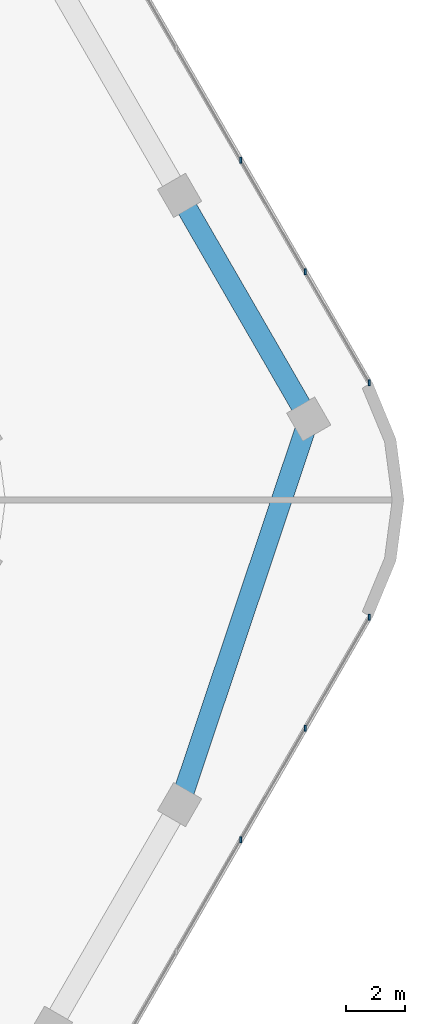
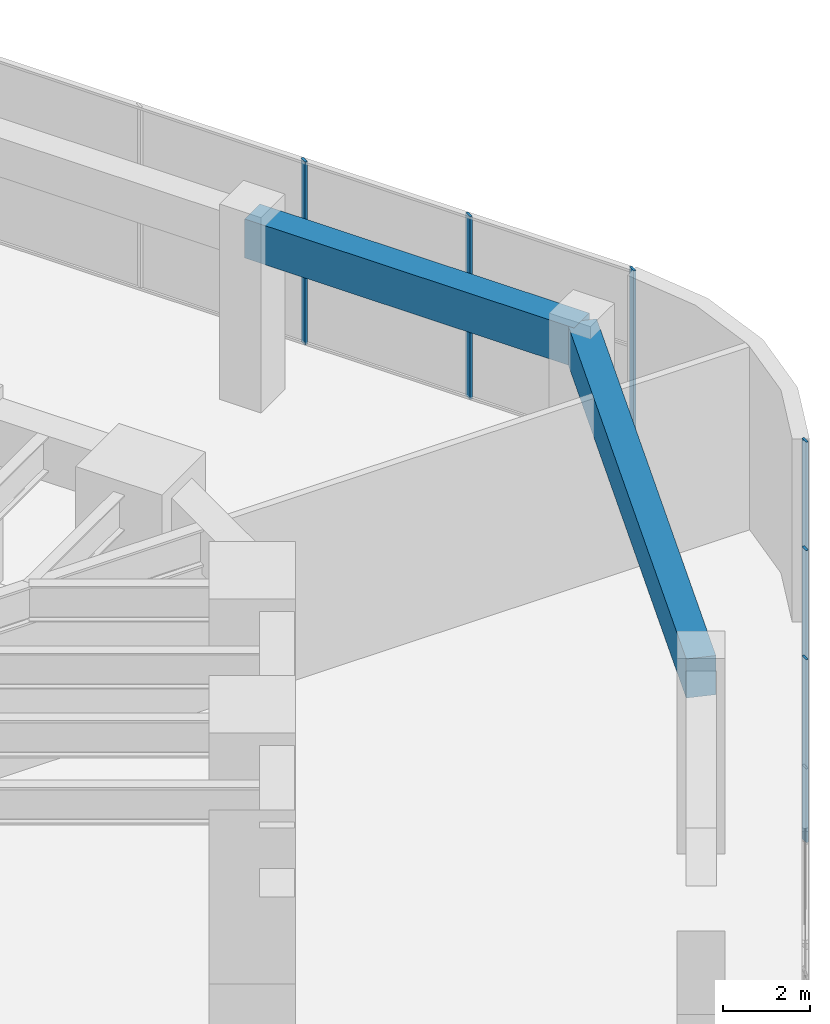
# One storey, part 14 of 31: 6 members, 2 beams, 2 elements without a shape of their own.
"""IFC4 building model written with IfcOpenShell, lengths in metres."""

from ifc_helpers import new_model, si_unit, direction, frame, origin, origin_2d, place, context, subcontext, project, spatial, rectangle, extrude, material, material_profile, profile_set, type_object, element, aggregate, save


model = new_model("IFC4")

# Units and contexts
model_context = context("Model", 3, precision=1e-05, world=origin(), true_north=direction((0.0, 1.0)))
body_context = subcontext(model_context, "Body", "Model", "MODEL_VIEW")
ifc_project = project(units=[si_unit("LENGTHUNIT", "METRE"), si_unit("AREAUNIT", "SQUARE_METRE"), si_unit("VOLUMEUNIT", "CUBIC_METRE"), si_unit("PLANEANGLEUNIT", "RADIAN"), si_unit("MASSUNIT", "GRAM", prefix="KILO")], contexts=[model_context])

# Site, building, storey
site_placement = place(None, origin())
site = spatial("IfcSite", under=ifc_project, at=site_placement, CompositionType="ELEMENT")
building_placement = place(site_placement, origin())
building = spatial("IfcBuilding", under=site, at=building_placement, Name="Tarfa Lantern Tower", CompositionType="ELEMENT")
storey_placement = place(building_placement, frame((0.0, 0.0, 13.0)))
storey = spatial("IfcBuildingStorey", under=building, at=storey_placement, Name="L02", CompositionType="ELEMENT", Elevation=13.0)

# Curtain wall, members
ifc_material_1 = material(Name="Aluminium framed curtain wall", Category="aluminium")
curtain_wall_type = type_object("IfcCurtainWallType", Name="CW7 PODIUM GLAZING 5150", PredefinedType="USERDEFINED", material=ifc_material_1)
curtain_wall_1_placement = place(storey_placement, origin())
curtain_wall_1 = element("IfcCurtainWall", 1, at=curtain_wall_1_placement, inside=storey, type_object=curtain_wall_type, Name="CW7 NE L02", ObjectType="CURTAIN WALL", PredefinedType="USERDEFINED")
ifc_material_2 = material(Name="Aluminium mullion", Category="aluminium")
ifc_material_profile_1 = material_profile(ifc_material_2, rectangle(XDim=0.06494140625, YDim=0.199951171875, at=origin_2d()), Name="AL MULLION 65x200")
ifc_profile_set_1 = profile_set([ifc_material_profile_1], Name="Aluminium mullion")
member_type = type_object("IfcMemberType", Name="CWM1 MULLION 65x200", PredefinedType="MULLION", material=ifc_profile_set_1)
member_1_placement = place(storey_placement, frame((50.703857421875, 3.97802734375, 0.0), z_axis=(0.0, 0.0, 1.0), x_axis=(1.0, 0.0, 0.0)))
member_1 = element("IfcMember", 2, at=member_1_placement, type_object=member_type, Name="CW7 mullion 1", PredefinedType="MULLION", context=body_context, shape_type="SweptSolid", body=[
    extrude(rectangle(XDim=0.06494140625, YDim=0.199951171875, at=origin_2d()), origin(), (0.0, 0.0, 1.0), 5.14990234375),
])
member_2_placement = place(storey_placement, frame((48.5263671875, 7.75, 0.0), z_axis=(0.0, 0.0, 1.0), x_axis=(1.0, 0.0, 0.0)))
member_2 = element("IfcMember", 3, at=member_2_placement, type_object=member_type, Name="CW7 mullion 2", PredefinedType="MULLION", context=body_context, shape_type="SweptSolid", body=[
    extrude(rectangle(XDim=0.06494140625, YDim=0.199951171875, at=origin_2d()), origin(), (0.0, 0.0, 1.0), 5.14990234375),
])
member_3_placement = place(storey_placement, frame((46.332275390625, 11.550048828125, 0.0), z_axis=(0.0, 0.0, 1.0), x_axis=(1.0, 0.0, 0.0)))
member_3 = element("IfcMember", 4, at=member_3_placement, type_object=member_type, Name="CW7 mullion 3", PredefinedType="MULLION", context=body_context, shape_type="SweptSolid", body=[
    extrude(rectangle(XDim=0.06494140625, YDim=0.199951171875, at=origin_2d()), origin(), (0.0, 0.0, 1.0), 5.14990234375),
])
aggregate(curtain_wall_1, [member_1, member_2, member_3])

curtain_wall_2_placement = place(storey_placement, origin())
curtain_wall_2 = element("IfcCurtainWall", 5, at=curtain_wall_2_placement, inside=storey, type_object=curtain_wall_type, Name="CW7 SE L02", ObjectType="CURTAIN WALL", PredefinedType="USERDEFINED")
member_4_placement = place(storey_placement, frame((46.332275390625, -11.550048828125, 0.0), z_axis=(0.0, 0.0, 1.0), x_axis=(1.0, 0.0, 0.0)))
member_4 = element("IfcMember", 6, at=member_4_placement, type_object=member_type, Name="CW7 mullion 9", PredefinedType="MULLION", context=body_context, shape_type="SweptSolid", body=[
    extrude(rectangle(XDim=0.06494140625, YDim=0.199951171875, at=origin_2d()), origin(), (0.0, 0.0, 1.0), 5.14990234375),
])
member_5_placement = place(storey_placement, frame((48.5263671875, -7.75, 0.0), z_axis=(0.0, 0.0, 1.0), x_axis=(1.0, 0.0, 0.0)))
member_5 = element("IfcMember", 7, at=member_5_placement, type_object=member_type, Name="CW7 mullion 10", PredefinedType="MULLION", context=body_context, shape_type="SweptSolid", body=[
    extrude(rectangle(XDim=0.06494140625, YDim=0.199951171875, at=origin_2d()), origin(), (0.0, 0.0, 1.0), 5.14990234375),
])
member_6_placement = place(storey_placement, frame((50.703857421875, -3.97802734375, 0.0), z_axis=(0.0, 0.0, 1.0), x_axis=(1.0, 0.0, 0.0)))
member_6 = element("IfcMember", 8, at=member_6_placement, type_object=member_type, Name="CW7 mullion 11", PredefinedType="MULLION", context=body_context, shape_type="SweptSolid", body=[
    extrude(rectangle(XDim=0.06494140625, YDim=0.199951171875, at=origin_2d()), origin(), (0.0, 0.0, 1.0), 5.14990234375),
])
aggregate(curtain_wall_2, [member_4, member_5, member_6])

# Beams
ifc_material_3 = material(Name="Concrete C80/95", Category="concrete")
ifc_material_profile_2 = material_profile(ifc_material_3, rectangle(XDim=0.699951171875, YDim=1.10009765625, at=origin_2d()), Name="RC 700x1100")
ifc_profile_set_2 = profile_set([ifc_material_profile_2], Name="Concrete C80/95")
beam_type = type_object("IfcBeamType", Name="PB1 RC 700x1100", PredefinedType="BEAM", material=ifc_profile_set_2)
beam_1_placement = place(storey_placement, frame((48.641845703125, 2.75, 4.60009765625), z_axis=(-0.50000179687, 0.866024366359, 0.0), x_axis=(-0.866024366359, -0.50000179687, 0.0)))
element("IfcBeam", 9, at=beam_1_placement, inside=storey, type_object=beam_type, Name="Podium ring beam NE0", PredefinedType="BEAM", context=body_context, shape_type="SweptSolid", body=[
    extrude(rectangle(XDim=0.699951171875, YDim=1.10009765625, at=origin_2d()), origin(), (0.0, 0.0, 1.0), 8.77587890625),
])
beam_2_placement = place(storey_placement, frame((44.25390625, -10.35009765625, 4.60009765625), z_axis=(0.317611113529, 0.948221061021, 0.0), x_axis=(-0.948221061021, 0.317611113529, 0.0)))
element("IfcBeam", 10, at=beam_2_placement, inside=storey, type_object=beam_type, Name="Podium ring beam SE4", PredefinedType="BEAM", context=body_context, shape_type="SweptSolid", body=[
    extrude(rectangle(XDim=0.699951171875, YDim=1.10009765625, at=origin_2d()), origin(), (0.0, 0.0, 1.0), 13.8154296875),
])

save(model, "model.ifc")
